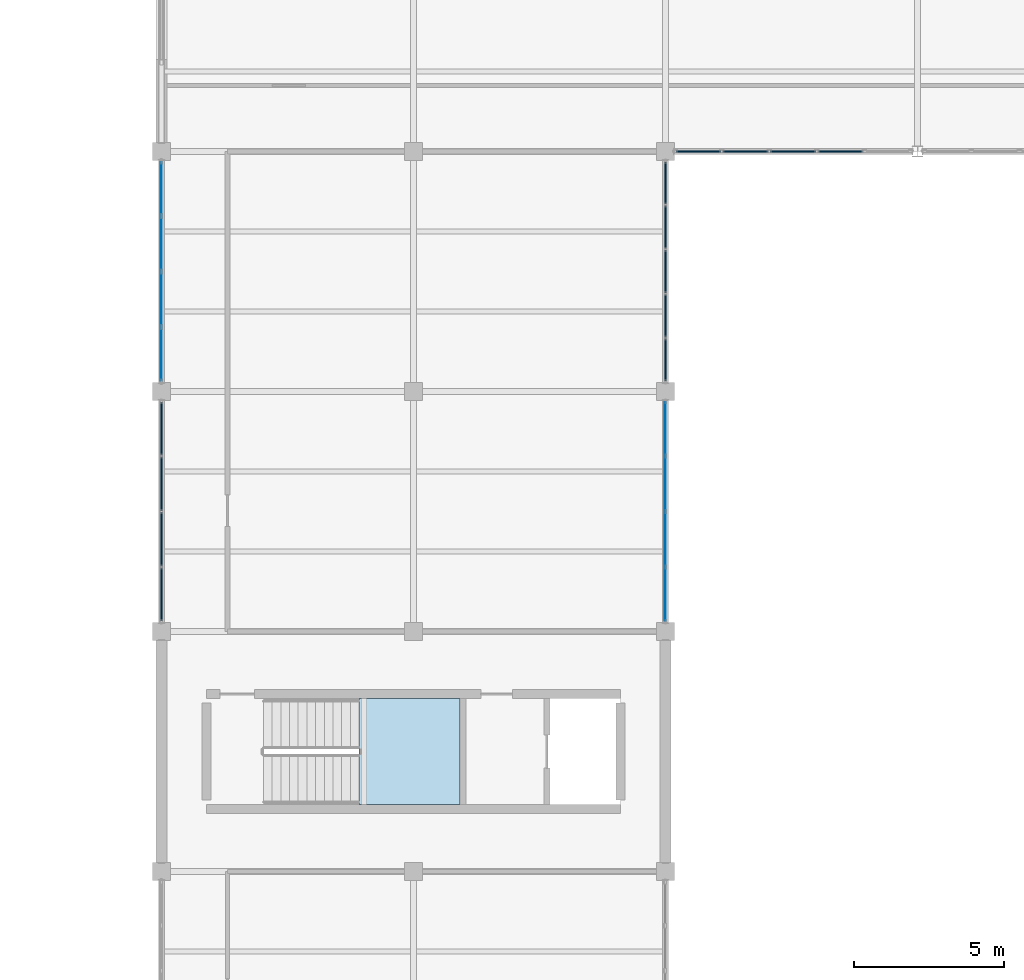
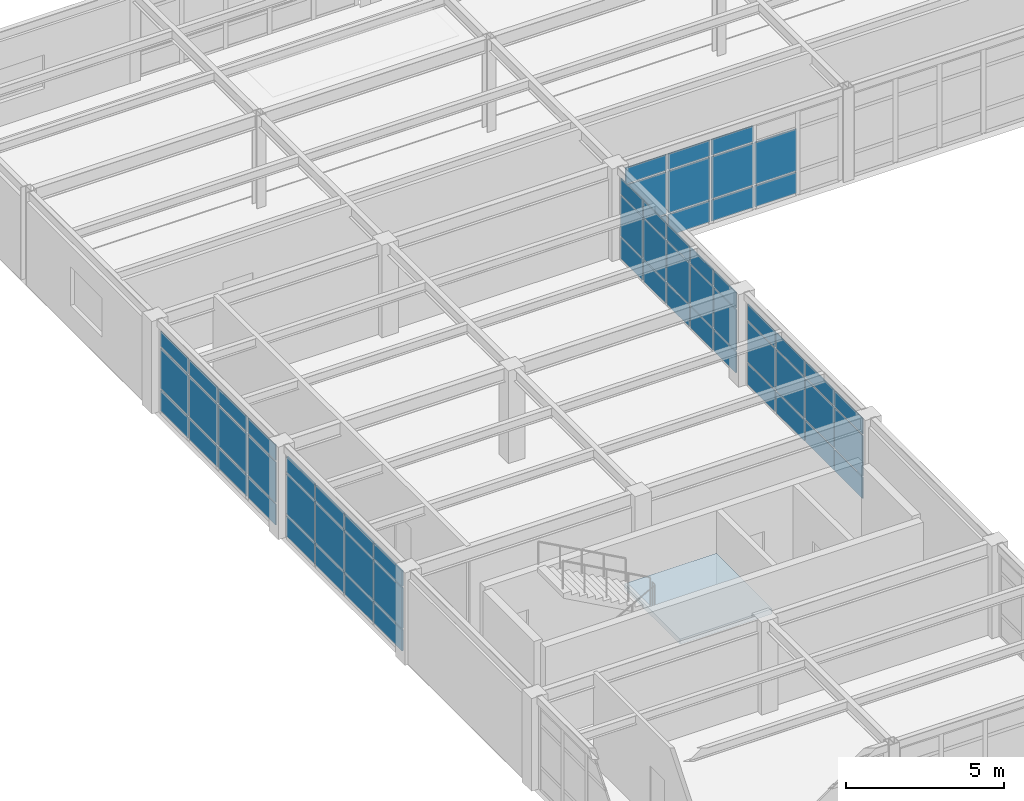
# One storey, part 41 of 96: 62 plates, 1 slab, 6 elements without a shape of their own.
"""IFC4 building model written with IfcOpenShell, lengths in metres."""

from ifc_helpers import new_model, si_unit, direction, frame, origin, origin_2d, place, context, subcontext, project, spatial, polyline, rectangle, outline, extrude, material, layer, layer_set, type_object, element, aggregate, save


model = new_model("IFC4")

# Units and contexts
model_context = context("Model", 3, precision=1e-05, world=origin(), true_north=direction((0.0, 1.0)))
body_context = subcontext(model_context, "Body", "Model", "MODEL_VIEW")
ifc_project = project(units=[si_unit("LENGTHUNIT", "METRE"), si_unit("AREAUNIT", "SQUARE_METRE"), si_unit("VOLUMEUNIT", "CUBIC_METRE"), si_unit("PLANEANGLEUNIT", "RADIAN"), si_unit("MASSUNIT", "GRAM", prefix="KILO")], contexts=[model_context])

# Site, building, storey
site_placement = place(None, origin())
site = spatial("IfcSite", under=ifc_project, at=site_placement, CompositionType="ELEMENT")
building_placement = place(site_placement, origin())
building = spatial("IfcBuilding", under=site, at=building_placement, Name="Kranzveld Transit Interchange", CompositionType="ELEMENT")
storey_placement = place(building_placement, frame((0.0, 0.0, 9.52001953125)))
storey = spatial("IfcBuildingStorey", under=building, at=storey_placement, Name="L02", CompositionType="ELEMENT", Elevation=9.52001953125)

# Curtain wall, plates
ifc_material_1 = material(Name="Bronze-anodised thermally broken aluminium", Category="aluminium")
ifc_layer_1 = layer(ifc_material_1, 0.159912109375)
ifc_layer_set_1 = layer_set([ifc_layer_1], Name="Bronze-anodised thermally broken aluminium")
curtain_wall_type_1 = type_object("IfcCurtainWallType", Name="Bus Boarding Glazed Screen CW-3", PredefinedType="USERDEFINED", material=ifc_layer_set_1)
curtain_wall_1_placement = place(storey_placement, origin())
curtain_wall_1 = element("IfcCurtainWall", 1, at=curtain_wall_1_placement, inside=storey, type_object=curtain_wall_type_1, Name="L02 Curtain Wall 15/L-15/M", ObjectType="CURTAIN WALL", PredefinedType="USERDEFINED")
ifc_material_2 = material(Name="Solar-control double glazing", Category="glass")
ifc_layer_2 = layer(ifc_material_2, 0.031982421875)
ifc_layer_set_2 = layer_set([ifc_layer_2], Name="Solar-control double glazing")
plate_type_1 = type_object("IfcPlateType", Name="Curtain Panel Acoustic Glazing 32", PredefinedType="CURTAIN_PANEL", material=ifc_layer_set_2)
plate_1_placement = place(storey_placement, frame((117.60009765625, 81.239990234375, 0.06005859375), z_axis=(0.0, 0.0, 1.0), x_axis=(0.0, 1.0, 0.0)))
plate_1 = element("IfcPlate", 2, at=plate_1_placement, type_object=plate_type_1, Name="CW-3 panel 1.1", PredefinedType="CURTAIN_PANEL", context=body_context, shape_type="SweptSolid", body=[
    extrude(rectangle(XDim=1.760009765625, YDim=0.031982421875, at=origin_2d()), origin(), (0.0, 0.0, 1.0), 0.81005859375),
])
plate_2_placement = place(storey_placement, frame((117.60009765625, 81.239990234375, 0.929931640625), z_axis=(0.0, 0.0, 1.0), x_axis=(0.0, 1.0, 0.0)))
plate_2 = element("IfcPlate", 3, at=plate_2_placement, type_object=plate_type_1, Name="CW-3 panel 1.2", PredefinedType="CURTAIN_PANEL", context=body_context, shape_type="SweptSolid", body=[
    extrude(rectangle(XDim=1.760009765625, YDim=0.031982421875, at=origin_2d()), origin(), (0.0, 0.0, 1.0), 1.55859375),
])
plate_3_placement = place(storey_placement, frame((117.60009765625, 81.239990234375, 2.54833984375), z_axis=(0.0, 0.0, 1.0), x_axis=(0.0, 1.0, 0.0)))
plate_3 = element("IfcPlate", 4, at=plate_3_placement, type_object=plate_type_1, Name="CW-3 panel 1.3", PredefinedType="CURTAIN_PANEL", context=body_context, shape_type="SweptSolid", body=[
    extrude(rectangle(XDim=1.760009765625, YDim=0.031982421875, at=origin_2d()), origin(), (0.0, 0.0, 1.0), 0.610107421875),
])
plate_4_placement = place(storey_placement, frame((117.60009765625, 83.074951171875, 0.06005859375), z_axis=(0.0, 0.0, 1.0), x_axis=(0.0, 1.0, 0.0)))
plate_4 = element("IfcPlate", 5, at=plate_4_placement, type_object=plate_type_1, Name="CW-3 panel 2.1", PredefinedType="CURTAIN_PANEL", context=body_context, shape_type="SweptSolid", body=[
    extrude(rectangle(XDim=1.7900390625, YDim=0.031982421875, at=origin_2d()), origin(), (0.0, 0.0, 1.0), 0.81005859375),
])
plate_5_placement = place(storey_placement, frame((117.60009765625, 83.074951171875, 0.929931640625), z_axis=(0.0, 0.0, 1.0), x_axis=(0.0, 1.0, 0.0)))
plate_5 = element("IfcPlate", 6, at=plate_5_placement, type_object=plate_type_1, Name="CW-3 panel 2.2", PredefinedType="CURTAIN_PANEL", context=body_context, shape_type="SweptSolid", body=[
    extrude(rectangle(XDim=1.7900390625, YDim=0.031982421875, at=origin_2d()), origin(), (0.0, 0.0, 1.0), 1.55859375),
])
plate_6_placement = place(storey_placement, frame((117.60009765625, 83.074951171875, 2.54833984375), z_axis=(0.0, 0.0, 1.0), x_axis=(0.0, 1.0, 0.0)))
plate_6 = element("IfcPlate", 7, at=plate_6_placement, type_object=plate_type_1, Name="CW-3 panel 2.3", PredefinedType="CURTAIN_PANEL", context=body_context, shape_type="SweptSolid", body=[
    extrude(rectangle(XDim=1.7900390625, YDim=0.031982421875, at=origin_2d()), origin(), (0.0, 0.0, 1.0), 0.610107421875),
])
plate_7_placement = place(storey_placement, frame((117.60009765625, 84.925048828125, 0.06005859375), z_axis=(0.0, 0.0, 1.0), x_axis=(0.0, 1.0, 0.0)))
plate_7 = element("IfcPlate", 8, at=plate_7_placement, type_object=plate_type_1, Name="CW-3 panel 3.1", PredefinedType="CURTAIN_PANEL", context=body_context, shape_type="SweptSolid", body=[
    extrude(rectangle(XDim=1.7900390625, YDim=0.031982421875, at=origin_2d()), origin(), (0.0, 0.0, 1.0), 0.81005859375),
])
plate_8_placement = place(storey_placement, frame((117.60009765625, 84.925048828125, 0.929931640625), z_axis=(0.0, 0.0, 1.0), x_axis=(0.0, 1.0, 0.0)))
plate_8 = element("IfcPlate", 9, at=plate_8_placement, type_object=plate_type_1, Name="CW-3 panel 3.2", PredefinedType="CURTAIN_PANEL", context=body_context, shape_type="SweptSolid", body=[
    extrude(rectangle(XDim=1.7900390625, YDim=0.031982421875, at=origin_2d()), origin(), (0.0, 0.0, 1.0), 1.55859375),
])
plate_9_placement = place(storey_placement, frame((117.60009765625, 84.925048828125, 2.54833984375), z_axis=(0.0, 0.0, 1.0), x_axis=(0.0, 1.0, 0.0)))
plate_9 = element("IfcPlate", 10, at=plate_9_placement, type_object=plate_type_1, Name="CW-3 panel 3.3", PredefinedType="CURTAIN_PANEL", context=body_context, shape_type="SweptSolid", body=[
    extrude(rectangle(XDim=1.7900390625, YDim=0.031982421875, at=origin_2d()), origin(), (0.0, 0.0, 1.0), 0.610107421875),
])
plate_10_placement = place(storey_placement, frame((117.60009765625, 86.760009765625, 0.06005859375), z_axis=(0.0, 0.0, 1.0), x_axis=(0.0, 1.0, 0.0)))
plate_10 = element("IfcPlate", 11, at=plate_10_placement, type_object=plate_type_1, Name="CW-3 panel 4.1", PredefinedType="CURTAIN_PANEL", context=body_context, shape_type="SweptSolid", body=[
    extrude(rectangle(XDim=1.760009765625, YDim=0.031982421875, at=origin_2d()), origin(), (0.0, 0.0, 1.0), 0.81005859375),
])
plate_11_placement = place(storey_placement, frame((117.60009765625, 86.760009765625, 0.929931640625), z_axis=(0.0, 0.0, 1.0), x_axis=(0.0, 1.0, 0.0)))
plate_11 = element("IfcPlate", 12, at=plate_11_placement, type_object=plate_type_1, Name="CW-3 panel 4.2", PredefinedType="CURTAIN_PANEL", context=body_context, shape_type="SweptSolid", body=[
    extrude(rectangle(XDim=1.760009765625, YDim=0.031982421875, at=origin_2d()), origin(), (0.0, 0.0, 1.0), 1.55859375),
])
plate_12_placement = place(storey_placement, frame((117.60009765625, 86.760009765625, 2.54833984375), z_axis=(0.0, 0.0, 1.0), x_axis=(0.0, 1.0, 0.0)))
plate_12 = element("IfcPlate", 13, at=plate_12_placement, type_object=plate_type_1, Name="CW-3 panel 4.3", PredefinedType="CURTAIN_PANEL", context=body_context, shape_type="SweptSolid", body=[
    extrude(rectangle(XDim=1.760009765625, YDim=0.031982421875, at=origin_2d()), origin(), (0.0, 0.0, 1.0), 0.610107421875),
])
aggregate(curtain_wall_1, [plate_1, plate_2, plate_3, plate_4, plate_5, plate_6, plate_7, plate_8, plate_9, plate_10, plate_11, plate_12])

ifc_material_3 = material(Name="Bronze-anodised thermally broken aluminium", Category="aluminium")
ifc_layer_3 = layer(ifc_material_3, 0.179931640625)
ifc_layer_set_3 = layer_set([ifc_layer_3], Name="Bronze-anodised thermally broken aluminium")
curtain_wall_type_2 = type_object("IfcCurtainWallType", Name="Concourse Unitised Curtain Wall CW-1", PredefinedType="USERDEFINED", material=ifc_layer_set_3)
curtain_wall_2_placement = place(storey_placement, origin())
curtain_wall_2 = element("IfcCurtainWall", 14, at=curtain_wall_2_placement, inside=storey, type_object=curtain_wall_type_2, Name="L02 Curtain Wall 13/M-13/N", ObjectType="CURTAIN WALL", PredefinedType="USERDEFINED")
ifc_material_4 = material(Name="Solar-control double glazing", Category="glass")
ifc_layer_4 = layer(ifc_material_4, 0.028076171875)
ifc_layer_set_4 = layer_set([ifc_layer_4], Name="Solar-control double glazing")
plate_type_2 = type_object("IfcPlateType", Name="Curtain Panel Double Glazing 28", PredefinedType="CURTAIN_PANEL", material=ifc_layer_set_4)
plate_13_placement = place(storey_placement, frame((100.800048828125, 89.2412109375, 0.06494140625), z_axis=(0.0, 0.0, 1.0), x_axis=(0.0, 1.0, 0.0)))
plate_13 = element("IfcPlate", 15, at=plate_13_placement, type_object=plate_type_2, Name="CW-1 panel 1.1", PredefinedType="CURTAIN_PANEL", context=body_context, shape_type="SweptSolid", body=[
    extrude(rectangle(XDim=1.75244140625, YDim=0.028076171875, at=origin_2d()), origin(), (0.0, 0.0, 1.0), 0.802490234375),
])
plate_14_placement = place(storey_placement, frame((100.800048828125, 89.2412109375, 0.932373046875), z_axis=(0.0, 0.0, 1.0), x_axis=(0.0, 1.0, 0.0)))
plate_14 = element("IfcPlate", 16, at=plate_14_placement, type_object=plate_type_2, Name="CW-1 panel 1.2", PredefinedType="CURTAIN_PANEL", context=body_context, shape_type="SweptSolid", body=[
    extrude(rectangle(XDim=1.75244140625, YDim=0.028076171875, at=origin_2d()), origin(), (0.0, 0.0, 1.0), 1.5537109375),
])
plate_15_placement = place(storey_placement, frame((100.800048828125, 89.2412109375, 2.551025390625), z_axis=(0.0, 0.0, 1.0), x_axis=(0.0, 1.0, 0.0)))
plate_15 = element("IfcPlate", 17, at=plate_15_placement, type_object=plate_type_2, Name="CW-1 panel 1.3", PredefinedType="CURTAIN_PANEL", context=body_context, shape_type="SweptSolid", body=[
    extrude(rectangle(XDim=1.75244140625, YDim=0.028076171875, at=origin_2d()), origin(), (0.0, 0.0, 1.0), 0.6025390625),
])
plate_16_placement = place(storey_placement, frame((100.800048828125, 91.074951171875, 0.06494140625), z_axis=(0.0, 0.0, 1.0), x_axis=(0.0, 1.0, 0.0)))
plate_16 = element("IfcPlate", 18, at=plate_16_placement, type_object=plate_type_2, Name="CW-1 panel 2.1", PredefinedType="CURTAIN_PANEL", context=body_context, shape_type="SweptSolid", body=[
    extrude(rectangle(XDim=1.784912109375, YDim=0.028076171875, at=origin_2d()), origin(), (0.0, 0.0, 1.0), 0.802490234375),
])
plate_17_placement = place(storey_placement, frame((100.800048828125, 91.074951171875, 0.932373046875), z_axis=(0.0, 0.0, 1.0), x_axis=(0.0, 1.0, 0.0)))
plate_17 = element("IfcPlate", 19, at=plate_17_placement, type_object=plate_type_2, Name="CW-1 panel 2.2", PredefinedType="CURTAIN_PANEL", context=body_context, shape_type="SweptSolid", body=[
    extrude(rectangle(XDim=1.784912109375, YDim=0.028076171875, at=origin_2d()), origin(), (0.0, 0.0, 1.0), 1.5537109375),
])
plate_18_placement = place(storey_placement, frame((100.800048828125, 91.074951171875, 2.551025390625), z_axis=(0.0, 0.0, 1.0), x_axis=(0.0, 1.0, 0.0)))
plate_18 = element("IfcPlate", 20, at=plate_18_placement, type_object=plate_type_2, Name="CW-1 panel 2.3", PredefinedType="CURTAIN_PANEL", context=body_context, shape_type="SweptSolid", body=[
    extrude(rectangle(XDim=1.784912109375, YDim=0.028076171875, at=origin_2d()), origin(), (0.0, 0.0, 1.0), 0.6025390625),
])
plate_19_placement = place(storey_placement, frame((100.800048828125, 92.925048828125, 0.06494140625), z_axis=(0.0, 0.0, 1.0), x_axis=(0.0, 1.0, 0.0)))
plate_19 = element("IfcPlate", 21, at=plate_19_placement, type_object=plate_type_2, Name="CW-1 panel 3.1", PredefinedType="CURTAIN_PANEL", context=body_context, shape_type="SweptSolid", body=[
    extrude(rectangle(XDim=1.784912109375, YDim=0.028076171875, at=origin_2d()), origin(), (0.0, 0.0, 1.0), 0.802490234375),
])
plate_20_placement = place(storey_placement, frame((100.800048828125, 92.925048828125, 0.932373046875), z_axis=(0.0, 0.0, 1.0), x_axis=(0.0, 1.0, 0.0)))
plate_20 = element("IfcPlate", 22, at=plate_20_placement, type_object=plate_type_2, Name="CW-1 panel 3.2", PredefinedType="CURTAIN_PANEL", context=body_context, shape_type="SweptSolid", body=[
    extrude(rectangle(XDim=1.784912109375, YDim=0.028076171875, at=origin_2d()), origin(), (0.0, 0.0, 1.0), 1.5537109375),
])
plate_21_placement = place(storey_placement, frame((100.800048828125, 92.925048828125, 2.551025390625), z_axis=(0.0, 0.0, 1.0), x_axis=(0.0, 1.0, 0.0)))
plate_21 = element("IfcPlate", 23, at=plate_21_placement, type_object=plate_type_2, Name="CW-1 panel 3.3", PredefinedType="CURTAIN_PANEL", context=body_context, shape_type="SweptSolid", body=[
    extrude(rectangle(XDim=1.784912109375, YDim=0.028076171875, at=origin_2d()), origin(), (0.0, 0.0, 1.0), 0.6025390625),
])
plate_22_placement = place(storey_placement, frame((100.800048828125, 94.7587890625, 0.06494140625), z_axis=(0.0, 0.0, 1.0), x_axis=(0.0, 1.0, 0.0)))
plate_22 = element("IfcPlate", 24, at=plate_22_placement, type_object=plate_type_2, Name="CW-1 panel 4.1", PredefinedType="CURTAIN_PANEL", context=body_context, shape_type="SweptSolid", body=[
    extrude(rectangle(XDim=1.75244140625, YDim=0.028076171875, at=origin_2d()), origin(), (0.0, 0.0, 1.0), 0.802490234375),
])
plate_23_placement = place(storey_placement, frame((100.800048828125, 94.7587890625, 0.932373046875), z_axis=(0.0, 0.0, 1.0), x_axis=(0.0, 1.0, 0.0)))
plate_23 = element("IfcPlate", 25, at=plate_23_placement, type_object=plate_type_2, Name="CW-1 panel 4.2", PredefinedType="CURTAIN_PANEL", context=body_context, shape_type="SweptSolid", body=[
    extrude(rectangle(XDim=1.75244140625, YDim=0.028076171875, at=origin_2d()), origin(), (0.0, 0.0, 1.0), 1.5537109375),
])
plate_24_placement = place(storey_placement, frame((100.800048828125, 94.7587890625, 2.551025390625), z_axis=(0.0, 0.0, 1.0), x_axis=(0.0, 1.0, 0.0)))
plate_24 = element("IfcPlate", 26, at=plate_24_placement, type_object=plate_type_2, Name="CW-1 panel 4.3", PredefinedType="CURTAIN_PANEL", context=body_context, shape_type="SweptSolid", body=[
    extrude(rectangle(XDim=1.75244140625, YDim=0.028076171875, at=origin_2d()), origin(), (0.0, 0.0, 1.0), 0.6025390625),
])
aggregate(curtain_wall_2, [plate_13, plate_14, plate_15, plate_16, plate_17, plate_18, plate_19, plate_20, plate_21, plate_22, plate_23, plate_24])

ifc_material_5 = material(Name="Bronze-anodised thermally broken aluminium", Category="aluminium")
ifc_layer_5 = layer(ifc_material_5, 0.14990234375)
ifc_layer_set_5 = layer_set([ifc_layer_5], Name="Bronze-anodised thermally broken aluminium")
curtain_wall_type_3 = type_object("IfcCurtainWallType", Name="Public Passage Clerestory Screen CW-4", PredefinedType="USERDEFINED", material=ifc_layer_set_5)
curtain_wall_3_placement = place(storey_placement, origin())
curtain_wall_3 = element("IfcCurtainWall", 27, at=curtain_wall_3_placement, inside=storey, type_object=curtain_wall_type_3, Name="L02 Curtain Wall 15/M-15/N", ObjectType="CURTAIN WALL", PredefinedType="USERDEFINED")
ifc_material_6 = material(Name="Solar-control double glazing", Category="glass")
ifc_layer_6 = layer(ifc_material_6, 0.0419921875)
ifc_layer_set_6 = layer_set([ifc_layer_6], Name="Solar-control double glazing")
plate_type_3 = type_object("IfcPlateType", Name="Curtain Panel Laminated Glazing 42", PredefinedType="CURTAIN_PANEL", material=ifc_layer_set_6)
plate_25_placement = place(storey_placement, frame((117.60009765625, 89.054931640625, 0.06005859375), z_axis=(0.0, 0.0, 1.0), x_axis=(0.0, 1.0, 0.0)))
plate_25 = element("IfcPlate", 28, at=plate_25_placement, type_object=plate_type_3, Name="CW-4 panel 1.1", PredefinedType="CURTAIN_PANEL", context=body_context, shape_type="SweptSolid", body=[
    extrude(rectangle(XDim=1.389892578125, YDim=0.0419921875, at=origin_2d()), origin(), (0.0, 0.0, 1.0), 0.81005859375),
])
plate_26_placement = place(storey_placement, frame((117.60009765625, 89.054931640625, 0.929931640625), z_axis=(0.0, 0.0, 1.0), x_axis=(0.0, 1.0, 0.0)))
plate_26 = element("IfcPlate", 29, at=plate_26_placement, type_object=plate_type_3, Name="CW-4 panel 1.2", PredefinedType="CURTAIN_PANEL", context=body_context, shape_type="SweptSolid", body=[
    extrude(rectangle(XDim=1.389892578125, YDim=0.0419921875, at=origin_2d()), origin(), (0.0, 0.0, 1.0), 1.55859375),
])
plate_27_placement = place(storey_placement, frame((117.60009765625, 89.054931640625, 2.54833984375), z_axis=(0.0, 0.0, 1.0), x_axis=(0.0, 1.0, 0.0)))
plate_27 = element("IfcPlate", 30, at=plate_27_placement, type_object=plate_type_3, Name="CW-4 panel 1.3", PredefinedType="CURTAIN_PANEL", context=body_context, shape_type="SweptSolid", body=[
    extrude(rectangle(XDim=1.389892578125, YDim=0.0419921875, at=origin_2d()), origin(), (0.0, 0.0, 1.0), 0.610107421875),
])
plate_28_placement = place(storey_placement, frame((117.60009765625, 90.52001953125, 0.06005859375), z_axis=(0.0, 0.0, 1.0), x_axis=(0.0, 1.0, 0.0)))
plate_28 = element("IfcPlate", 31, at=plate_28_placement, type_object=plate_type_3, Name="CW-4 panel 2.1", PredefinedType="CURTAIN_PANEL", context=body_context, shape_type="SweptSolid", body=[
    extrude(rectangle(XDim=1.419921875, YDim=0.0419921875, at=origin_2d()), origin(), (0.0, 0.0, 1.0), 0.81005859375),
])
plate_29_placement = place(storey_placement, frame((117.60009765625, 90.52001953125, 0.929931640625), z_axis=(0.0, 0.0, 1.0), x_axis=(0.0, 1.0, 0.0)))
plate_29 = element("IfcPlate", 32, at=plate_29_placement, type_object=plate_type_3, Name="CW-4 panel 2.2", PredefinedType="CURTAIN_PANEL", context=body_context, shape_type="SweptSolid", body=[
    extrude(rectangle(XDim=1.419921875, YDim=0.0419921875, at=origin_2d()), origin(), (0.0, 0.0, 1.0), 1.55859375),
])
plate_30_placement = place(storey_placement, frame((117.60009765625, 90.52001953125, 2.54833984375), z_axis=(0.0, 0.0, 1.0), x_axis=(0.0, 1.0, 0.0)))
plate_30 = element("IfcPlate", 33, at=plate_30_placement, type_object=plate_type_3, Name="CW-4 panel 2.3", PredefinedType="CURTAIN_PANEL", context=body_context, shape_type="SweptSolid", body=[
    extrude(rectangle(XDim=1.419921875, YDim=0.0419921875, at=origin_2d()), origin(), (0.0, 0.0, 1.0), 0.610107421875),
])
plate_31_placement = place(storey_placement, frame((117.60009765625, 92.0, 0.06005859375), z_axis=(0.0, 0.0, 1.0), x_axis=(0.0, 1.0, 0.0)))
plate_31 = element("IfcPlate", 34, at=plate_31_placement, type_object=plate_type_3, Name="CW-4 panel 3.1", PredefinedType="CURTAIN_PANEL", context=body_context, shape_type="SweptSolid", body=[
    extrude(rectangle(XDim=1.419921875, YDim=0.0419921875, at=origin_2d()), origin(), (0.0, 0.0, 1.0), 0.81005859375),
])
plate_32_placement = place(storey_placement, frame((117.60009765625, 92.0, 0.929931640625), z_axis=(0.0, 0.0, 1.0), x_axis=(0.0, 1.0, 0.0)))
plate_32 = element("IfcPlate", 35, at=plate_32_placement, type_object=plate_type_3, Name="CW-4 panel 3.2", PredefinedType="CURTAIN_PANEL", context=body_context, shape_type="SweptSolid", body=[
    extrude(rectangle(XDim=1.419921875, YDim=0.0419921875, at=origin_2d()), origin(), (0.0, 0.0, 1.0), 1.55859375),
])
plate_33_placement = place(storey_placement, frame((117.60009765625, 92.0, 2.54833984375), z_axis=(0.0, 0.0, 1.0), x_axis=(0.0, 1.0, 0.0)))
plate_33 = element("IfcPlate", 36, at=plate_33_placement, type_object=plate_type_3, Name="CW-4 panel 3.3", PredefinedType="CURTAIN_PANEL", context=body_context, shape_type="SweptSolid", body=[
    extrude(rectangle(XDim=1.419921875, YDim=0.0419921875, at=origin_2d()), origin(), (0.0, 0.0, 1.0), 0.610107421875),
])
plate_34_placement = place(storey_placement, frame((117.60009765625, 93.47998046875, 0.06005859375), z_axis=(0.0, 0.0, 1.0), x_axis=(0.0, 1.0, 0.0)))
plate_34 = element("IfcPlate", 37, at=plate_34_placement, type_object=plate_type_3, Name="CW-4 panel 4.1", PredefinedType="CURTAIN_PANEL", context=body_context, shape_type="SweptSolid", body=[
    extrude(rectangle(XDim=1.419921875, YDim=0.0419921875, at=origin_2d()), origin(), (0.0, 0.0, 1.0), 0.81005859375),
])
plate_35_placement = place(storey_placement, frame((117.60009765625, 93.47998046875, 0.929931640625), z_axis=(0.0, 0.0, 1.0), x_axis=(0.0, 1.0, 0.0)))
plate_35 = element("IfcPlate", 38, at=plate_35_placement, type_object=plate_type_3, Name="CW-4 panel 4.2", PredefinedType="CURTAIN_PANEL", context=body_context, shape_type="SweptSolid", body=[
    extrude(rectangle(XDim=1.419921875, YDim=0.0419921875, at=origin_2d()), origin(), (0.0, 0.0, 1.0), 1.55859375),
])
plate_36_placement = place(storey_placement, frame((117.60009765625, 93.47998046875, 2.54833984375), z_axis=(0.0, 0.0, 1.0), x_axis=(0.0, 1.0, 0.0)))
plate_36 = element("IfcPlate", 39, at=plate_36_placement, type_object=plate_type_3, Name="CW-4 panel 4.3", PredefinedType="CURTAIN_PANEL", context=body_context, shape_type="SweptSolid", body=[
    extrude(rectangle(XDim=1.419921875, YDim=0.0419921875, at=origin_2d()), origin(), (0.0, 0.0, 1.0), 0.610107421875),
])
plate_37_placement = place(storey_placement, frame((117.60009765625, 94.945068359375, 0.06005859375), z_axis=(0.0, 0.0, 1.0), x_axis=(0.0, 1.0, 0.0)))
plate_37 = element("IfcPlate", 40, at=plate_37_placement, type_object=plate_type_3, Name="CW-4 panel 5.1", PredefinedType="CURTAIN_PANEL", context=body_context, shape_type="SweptSolid", body=[
    extrude(rectangle(XDim=1.389892578125, YDim=0.0419921875, at=origin_2d()), origin(), (0.0, 0.0, 1.0), 0.81005859375),
])
plate_38_placement = place(storey_placement, frame((117.60009765625, 94.945068359375, 0.929931640625), z_axis=(0.0, 0.0, 1.0), x_axis=(0.0, 1.0, 0.0)))
plate_38 = element("IfcPlate", 41, at=plate_38_placement, type_object=plate_type_3, Name="CW-4 panel 5.2", PredefinedType="CURTAIN_PANEL", context=body_context, shape_type="SweptSolid", body=[
    extrude(rectangle(XDim=1.389892578125, YDim=0.0419921875, at=origin_2d()), origin(), (0.0, 0.0, 1.0), 1.55859375),
])
plate_39_placement = place(storey_placement, frame((117.60009765625, 94.945068359375, 2.54833984375), z_axis=(0.0, 0.0, 1.0), x_axis=(0.0, 1.0, 0.0)))
plate_39 = element("IfcPlate", 42, at=plate_39_placement, type_object=plate_type_3, Name="CW-4 panel 5.3", PredefinedType="CURTAIN_PANEL", context=body_context, shape_type="SweptSolid", body=[
    extrude(rectangle(XDim=1.389892578125, YDim=0.0419921875, at=origin_2d()), origin(), (0.0, 0.0, 1.0), 0.610107421875),
])
aggregate(curtain_wall_3, [plate_25, plate_26, plate_27, plate_28, plate_29, plate_30, plate_31, plate_32, plate_33, plate_34, plate_35, plate_36, plate_37, plate_38, plate_39])

curtain_wall_4_placement = place(storey_placement, origin())
curtain_wall_4 = element("IfcCurtainWall", 43, at=curtain_wall_4_placement, inside=storey, type_object=curtain_wall_type_1, Name="L02 Curtain Wall 13/L-13/M", ObjectType="CURTAIN WALL", PredefinedType="USERDEFINED")
ifc_material_7 = material(Name="Bronze-anodised thermally broken aluminium", Category="aluminium")
ifc_layer_7 = layer(ifc_material_7, 0.053955078125)
ifc_layer_set_7 = layer_set([ifc_layer_7], Name="Bronze-anodised thermally broken aluminium")
plate_type_4 = type_object("IfcPlateType", Name="Curtain Spandrel Insulated Alu 54", PredefinedType="CURTAIN_PANEL", material=ifc_layer_set_7)
plate_40_placement = place(storey_placement, frame((100.800048828125, 81.239990234375, 0.06494140625), z_axis=(0.0, 0.0, 1.0), x_axis=(0.0, 1.0, 0.0)))
plate_40 = element("IfcPlate", 44, at=plate_40_placement, type_object=plate_type_4, Name="CW-3 panel 1.1", PredefinedType="CURTAIN_PANEL", context=body_context, shape_type="SweptSolid", body=[
    extrude(rectangle(XDim=1.760009765625, YDim=0.053955078125, at=origin_2d()), origin(), (0.0, 0.0, 1.0), 0.802490234375),
])
plate_41_placement = place(storey_placement, frame((100.800048828125, 81.239990234375, 0.932373046875), z_axis=(0.0, 0.0, 1.0), x_axis=(0.0, 1.0, 0.0)))
plate_41 = element("IfcPlate", 45, at=plate_41_placement, type_object=plate_type_4, Name="CW-3 panel 1.2", PredefinedType="CURTAIN_PANEL", context=body_context, shape_type="SweptSolid", body=[
    extrude(rectangle(XDim=1.760009765625, YDim=0.053955078125, at=origin_2d()), origin(), (0.0, 0.0, 1.0), 1.5537109375),
])
plate_42_placement = place(storey_placement, frame((100.800048828125, 81.239990234375, 2.551025390625), z_axis=(0.0, 0.0, 1.0), x_axis=(0.0, 1.0, 0.0)))
plate_42 = element("IfcPlate", 46, at=plate_42_placement, type_object=plate_type_4, Name="CW-3 panel 1.3", PredefinedType="CURTAIN_PANEL", context=body_context, shape_type="SweptSolid", body=[
    extrude(rectangle(XDim=1.760009765625, YDim=0.053955078125, at=origin_2d()), origin(), (0.0, 0.0, 1.0), 0.6025390625),
])
plate_43_placement = place(storey_placement, frame((100.800048828125, 83.074951171875, 0.06494140625), z_axis=(0.0, 0.0, 1.0), x_axis=(0.0, 1.0, 0.0)))
plate_43 = element("IfcPlate", 47, at=plate_43_placement, type_object=plate_type_4, Name="CW-3 panel 2.1", PredefinedType="CURTAIN_PANEL", context=body_context, shape_type="SweptSolid", body=[
    extrude(rectangle(XDim=1.7900390625, YDim=0.053955078125, at=origin_2d()), origin(), (0.0, 0.0, 1.0), 0.802490234375),
])
plate_44_placement = place(storey_placement, frame((100.800048828125, 83.074951171875, 0.932373046875), z_axis=(0.0, 0.0, 1.0), x_axis=(0.0, 1.0, 0.0)))
plate_44 = element("IfcPlate", 48, at=plate_44_placement, type_object=plate_type_4, Name="CW-3 panel 2.2", PredefinedType="CURTAIN_PANEL", context=body_context, shape_type="SweptSolid", body=[
    extrude(rectangle(XDim=1.7900390625, YDim=0.053955078125, at=origin_2d()), origin(), (0.0, 0.0, 1.0), 1.5537109375),
])
plate_45_placement = place(storey_placement, frame((100.800048828125, 83.074951171875, 2.551025390625), z_axis=(0.0, 0.0, 1.0), x_axis=(0.0, 1.0, 0.0)))
plate_45 = element("IfcPlate", 49, at=plate_45_placement, type_object=plate_type_4, Name="CW-3 panel 2.3", PredefinedType="CURTAIN_PANEL", context=body_context, shape_type="SweptSolid", body=[
    extrude(rectangle(XDim=1.7900390625, YDim=0.053955078125, at=origin_2d()), origin(), (0.0, 0.0, 1.0), 0.6025390625),
])
plate_46_placement = place(storey_placement, frame((100.800048828125, 84.925048828125, 0.06494140625), z_axis=(0.0, 0.0, 1.0), x_axis=(0.0, 1.0, 0.0)))
plate_46 = element("IfcPlate", 50, at=plate_46_placement, type_object=plate_type_4, Name="CW-3 panel 3.1", PredefinedType="CURTAIN_PANEL", context=body_context, shape_type="SweptSolid", body=[
    extrude(rectangle(XDim=1.7900390625, YDim=0.053955078125, at=origin_2d()), origin(), (0.0, 0.0, 1.0), 0.802490234375),
])
plate_47_placement = place(storey_placement, frame((100.800048828125, 84.925048828125, 0.932373046875), z_axis=(0.0, 0.0, 1.0), x_axis=(0.0, 1.0, 0.0)))
plate_47 = element("IfcPlate", 51, at=plate_47_placement, type_object=plate_type_4, Name="CW-3 panel 3.2", PredefinedType="CURTAIN_PANEL", context=body_context, shape_type="SweptSolid", body=[
    extrude(rectangle(XDim=1.7900390625, YDim=0.053955078125, at=origin_2d()), origin(), (0.0, 0.0, 1.0), 1.5537109375),
])
plate_48_placement = place(storey_placement, frame((100.800048828125, 84.925048828125, 2.551025390625), z_axis=(0.0, 0.0, 1.0), x_axis=(0.0, 1.0, 0.0)))
plate_48 = element("IfcPlate", 52, at=plate_48_placement, type_object=plate_type_4, Name="CW-3 panel 3.3", PredefinedType="CURTAIN_PANEL", context=body_context, shape_type="SweptSolid", body=[
    extrude(rectangle(XDim=1.7900390625, YDim=0.053955078125, at=origin_2d()), origin(), (0.0, 0.0, 1.0), 0.6025390625),
])
plate_49_placement = place(storey_placement, frame((100.800048828125, 86.760009765625, 0.06494140625), z_axis=(0.0, 0.0, 1.0), x_axis=(0.0, 1.0, 0.0)))
plate_49 = element("IfcPlate", 53, at=plate_49_placement, type_object=plate_type_4, Name="CW-3 panel 4.1", PredefinedType="CURTAIN_PANEL", context=body_context, shape_type="SweptSolid", body=[
    extrude(rectangle(XDim=1.760009765625, YDim=0.053955078125, at=origin_2d()), origin(), (0.0, 0.0, 1.0), 0.802490234375),
])
plate_50_placement = place(storey_placement, frame((100.800048828125, 86.760009765625, 0.932373046875), z_axis=(0.0, 0.0, 1.0), x_axis=(0.0, 1.0, 0.0)))
plate_50 = element("IfcPlate", 54, at=plate_50_placement, type_object=plate_type_4, Name="CW-3 panel 4.2", PredefinedType="CURTAIN_PANEL", context=body_context, shape_type="SweptSolid", body=[
    extrude(rectangle(XDim=1.760009765625, YDim=0.053955078125, at=origin_2d()), origin(), (0.0, 0.0, 1.0), 1.5537109375),
])
plate_51_placement = place(storey_placement, frame((100.800048828125, 86.760009765625, 2.551025390625), z_axis=(0.0, 0.0, 1.0), x_axis=(0.0, 1.0, 0.0)))
plate_51 = element("IfcPlate", 55, at=plate_51_placement, type_object=plate_type_4, Name="CW-3 panel 4.3", PredefinedType="CURTAIN_PANEL", context=body_context, shape_type="SweptSolid", body=[
    extrude(rectangle(XDim=1.760009765625, YDim=0.053955078125, at=origin_2d()), origin(), (0.0, 0.0, 1.0), 0.6025390625),
])
aggregate(curtain_wall_4, [plate_40, plate_41, plate_42, plate_43, plate_44, plate_45, plate_46, plate_47, plate_48, plate_49, plate_50, plate_51])

ifc_material_8 = material(Name="Bronze-anodised thermally broken aluminium", Category="aluminium")
ifc_layer_8 = layer(ifc_material_8, 0.155029296875)
ifc_layer_set_8 = layer_set([ifc_layer_8], Name="Bronze-anodised thermally broken aluminium")
curtain_wall_type_4 = type_object("IfcCurtainWallType", Name="Operations Courtyard Glazed Screen CW-6", PredefinedType="USERDEFINED", material=ifc_layer_set_8)
curtain_wall_5_placement = place(storey_placement, origin())
curtain_wall_5 = element("IfcCurtainWall", 56, at=curtain_wall_5_placement, inside=storey, type_object=curtain_wall_type_4, Name="L02 Curtain Wall 15/N-16/N", ObjectType="CURTAIN WALL", PredefinedType="USERDEFINED")
ifc_material_9 = material(Name="Ochre Pretoria sandstone cladding, 45 MPa", Category="masonry")
ifc_layer_9 = layer(ifc_material_9, 0.0458984375)
ifc_layer_set_9 = layer_set([ifc_layer_9], Name="Ochre Pretoria sandstone cladding, 45 MPa")
plate_type_5 = type_object("IfcPlateType", Name="Curtain Spandrel Sandstone 46", PredefinedType="CURTAIN_PANEL", material=ifc_layer_set_9)
plate_52_placement = place(storey_placement, frame((118.70751953125, 96.0, 0.06005859375), z_axis=(0.0, 0.0, 1.0), x_axis=(1.0, 0.0, 0.0)))
plate_52 = element("IfcPlate", 57, at=plate_52_placement, type_object=plate_type_5, Name="CW-6 panel 1.1", PredefinedType="CURTAIN_PANEL", context=body_context, shape_type="SweptSolid", body=[
    extrude(rectangle(XDim=1.485107421875, YDim=0.0458984375, at=origin_2d()), origin(), (0.0, 0.0, 1.0), 0.81005859375),
])
plate_53_placement = place(storey_placement, frame((118.70751953125, 96.0, 0.9296875), z_axis=(0.0, 0.0, 1.0), x_axis=(1.0, 0.0, 0.0)))
plate_53 = element("IfcPlate", 58, at=plate_53_placement, type_object=plate_type_5, Name="CW-6 panel 1.2", PredefinedType="CURTAIN_PANEL", context=body_context, shape_type="SweptSolid", body=[
    extrude(rectangle(XDim=1.485107421875, YDim=0.0458984375, at=origin_2d()), origin(), (0.0, 0.0, 1.0), 1.610107421875),
])
plate_54_placement = place(storey_placement, frame((118.70751953125, 96.0, 2.60009765625), z_axis=(0.0, 0.0, 1.0), x_axis=(1.0, 0.0, 0.0)))
plate_54 = element("IfcPlate", 59, at=plate_54_placement, type_object=plate_type_5, Name="CW-6 panel 1.3", PredefinedType="CURTAIN_PANEL", context=body_context, shape_type="SweptSolid", body=[
    extrude(rectangle(XDim=1.485107421875, YDim=0.0458984375, at=origin_2d()), origin(), (0.0, 0.0, 1.0), 0.610107421875),
])
plate_55_placement = place(storey_placement, frame((120.27392578125, 96.0, 0.06005859375), z_axis=(0.0, 0.0, 1.0), x_axis=(1.0, 0.0, 0.0)))
plate_55 = element("IfcPlate", 60, at=plate_55_placement, type_object=plate_type_5, Name="CW-6 panel 2.1", PredefinedType="CURTAIN_PANEL", context=body_context, shape_type="SweptSolid", body=[
    extrude(rectangle(XDim=1.517578125, YDim=0.0458984375, at=origin_2d()), origin(), (0.0, 0.0, 1.0), 0.81005859375),
])
plate_56_placement = place(storey_placement, frame((120.27392578125, 96.0, 0.9296875), z_axis=(0.0, 0.0, 1.0), x_axis=(1.0, 0.0, 0.0)))
plate_56 = element("IfcPlate", 61, at=plate_56_placement, type_object=plate_type_5, Name="CW-6 panel 2.2", PredefinedType="CURTAIN_PANEL", context=body_context, shape_type="SweptSolid", body=[
    extrude(rectangle(XDim=1.517578125, YDim=0.0458984375, at=origin_2d()), origin(), (0.0, 0.0, 1.0), 1.610107421875),
])
plate_57_placement = place(storey_placement, frame((120.27392578125, 96.0, 2.60009765625), z_axis=(0.0, 0.0, 1.0), x_axis=(1.0, 0.0, 0.0)))
plate_57 = element("IfcPlate", 62, at=plate_57_placement, type_object=plate_type_5, Name="CW-6 panel 2.3", PredefinedType="CURTAIN_PANEL", context=body_context, shape_type="SweptSolid", body=[
    extrude(rectangle(XDim=1.517578125, YDim=0.0458984375, at=origin_2d()), origin(), (0.0, 0.0, 1.0), 0.610107421875),
])
plate_58_placement = place(storey_placement, frame((121.8564453125, 96.0, 0.06005859375), z_axis=(0.0, 0.0, 1.0), x_axis=(1.0, 0.0, 0.0)))
plate_58 = element("IfcPlate", 63, at=plate_58_placement, type_object=plate_type_5, Name="CW-6 panel 3.1", PredefinedType="CURTAIN_PANEL", context=body_context, shape_type="SweptSolid", body=[
    extrude(rectangle(XDim=1.517578125, YDim=0.0458984375, at=origin_2d()), origin(), (0.0, 0.0, 1.0), 0.81005859375),
])
plate_59_placement = place(storey_placement, frame((121.8564453125, 96.0, 0.9296875), z_axis=(0.0, 0.0, 1.0), x_axis=(1.0, 0.0, 0.0)))
plate_59 = element("IfcPlate", 64, at=plate_59_placement, type_object=plate_type_5, Name="CW-6 panel 3.2", PredefinedType="CURTAIN_PANEL", context=body_context, shape_type="SweptSolid", body=[
    extrude(rectangle(XDim=1.517578125, YDim=0.0458984375, at=origin_2d()), origin(), (0.0, 0.0, 1.0), 1.610107421875),
])
plate_60_placement = place(storey_placement, frame((121.8564453125, 96.0, 2.60009765625), z_axis=(0.0, 0.0, 1.0), x_axis=(1.0, 0.0, 0.0)))
plate_60 = element("IfcPlate", 65, at=plate_60_placement, type_object=plate_type_5, Name="CW-6 panel 3.3", PredefinedType="CURTAIN_PANEL", context=body_context, shape_type="SweptSolid", body=[
    extrude(rectangle(XDim=1.517578125, YDim=0.0458984375, at=origin_2d()), origin(), (0.0, 0.0, 1.0), 0.610107421875),
])
plate_61_placement = place(storey_placement, frame((123.43896484375, 96.0, 0.06005859375), z_axis=(0.0, 0.0, 1.0), x_axis=(1.0, 0.0, 0.0)))
plate_61 = element("IfcPlate", 66, at=plate_61_placement, type_object=plate_type_5, Name="CW-6 panel 4.1", PredefinedType="CURTAIN_PANEL", context=body_context, shape_type="SweptSolid", body=[
    extrude(rectangle(XDim=1.517578125, YDim=0.0458984375, at=origin_2d()), origin(), (0.0, 0.0, 1.0), 0.81005859375),
])
plate_62_placement = place(storey_placement, frame((123.43896484375, 96.0, 0.9296875), z_axis=(0.0, 0.0, 1.0), x_axis=(1.0, 0.0, 0.0)))
plate_62 = element("IfcPlate", 67, at=plate_62_placement, type_object=plate_type_5, Name="CW-6 panel 4.2", PredefinedType="CURTAIN_PANEL", context=body_context, shape_type="SweptSolid", body=[
    extrude(rectangle(XDim=1.517578125, YDim=0.0458984375, at=origin_2d()), origin(), (0.0, 0.0, 1.0), 1.610107421875),
])
aggregate(curtain_wall_5, [plate_52, plate_53, plate_54, plate_55, plate_56, plate_57, plate_58, plate_59, plate_60, plate_61, plate_62])

# Stair, slab
ifc_material_10 = material(Name="Concrete C35/45", Category="concrete")
stair_type = type_object("IfcStairType", Name="Dogleg Stair 1650W H3840 C35/45", PredefinedType="HALF_TURN_STAIR", material=ifc_material_10)
stair_placement = place(storey_placement, origin())
stair = element("IfcStair", 68, at=stair_placement, inside=storey, type_object=stair_type, Name="L02 Community Core C3", PredefinedType="HALF_TURN_STAIR")
ifc_material_11 = material(Name="Concrete C35/45", Category="concrete")
ifc_layer_10 = layer(ifc_material_11, 0.199951171875)
ifc_layer_set_10 = layer_set([ifc_layer_10], Name="Concrete C35/45")
slab_type = type_object("IfcSlabType", Name="Stair & Ramp Landing 200 C35/45", PredefinedType="LANDING", material=ifc_layer_set_10)
slab_placement = place(storey_placement, frame((0.0, 0.0, 1.719970703125)))
slab = element("IfcSlab", 69, at=slab_placement, type_object=slab_type, Name="ST-V4A landing 1", PredefinedType="LANDING", context=body_context, shape_type="SweptSolid", body=[
    extrude(outline(polyline([(107.389892578125, 74.235107421875), (110.75, 74.235107421875), (110.75, 77.764892578125), (107.389892578125, 77.764892578125), (107.389892578125, 74.235107421875)])), origin(), (0.0, 0.0, 1.0), 0.199951171875),
])
aggregate(stair, [slab])

save(model, "model.ifc")
